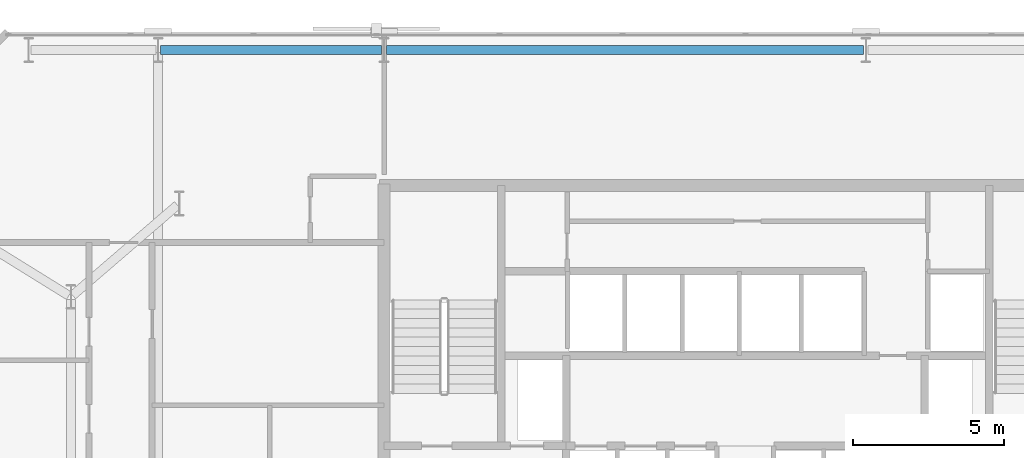
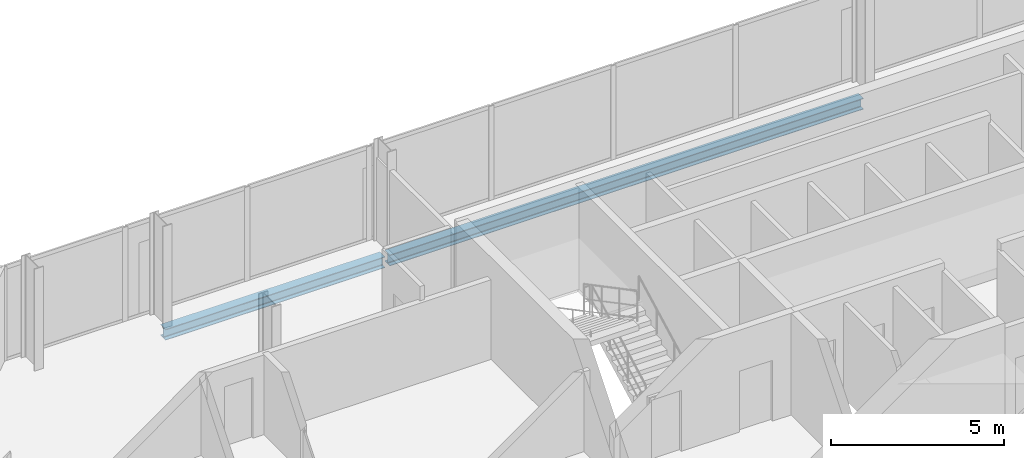
# One storey, part 20 of 32: 2 beams.
"""IFC4 building model written with IfcOpenShell, lengths in metres."""

from ifc_helpers import new_model, si_unit, direction, frame, origin, origin_2d, place, context, subcontext, project, spatial, i_section, extrude, material, material_profile, profile_set, type_object, element, save


model = new_model("IFC4")

# Units and contexts
model_context = context("Model", 3, precision=1e-05, world=origin(), true_north=direction((0.0, 1.0)))
body_context = subcontext(model_context, "Body", "Model", "MODEL_VIEW")
ifc_project = project(units=[si_unit("LENGTHUNIT", "METRE"), si_unit("AREAUNIT", "SQUARE_METRE"), si_unit("VOLUMEUNIT", "CUBIC_METRE"), si_unit("PLANEANGLEUNIT", "RADIAN"), si_unit("MASSUNIT", "GRAM", prefix="KILO")], contexts=[model_context])

# Site, building, storey
site_placement = place(None, origin())
site = spatial("IfcSite", under=ifc_project, at=site_placement, CompositionType="ELEMENT")
building_placement = place(site_placement, origin())
building = spatial("IfcBuilding", under=site, at=building_placement, Name="Catumbela Crestline Tower", CompositionType="ELEMENT")
storey_placement = place(building_placement, frame((0.0, 0.0, 61.8)))
storey = spatial("IfcBuildingStorey", under=building, at=storey_placement, Name="L15", CompositionType="ELEMENT", Elevation=61.8)

# Beams
ifc_material = material(Name="Structural steel S355J2", Category="steel")
ifc_material_profile = material_profile(ifc_material, i_section(OverallWidth=0.3, OverallDepth=0.39, WebThickness=0.011, FlangeThickness=0.019, FilletRadius=0.027, at=origin_2d()), Name="HEA 400")
ifc_profile_set = profile_set([ifc_material_profile], Name="Structural steel S355J2")
beam_type = type_object("IfcBeamType", Name="BS-HEA400", PredefinedType="SPANDREL", material=ifc_profile_set)
beam_1_placement = place(storey_placement, frame((8.58, 47.4, -0.455), z_axis=(1.0, 0.0, 0.0), x_axis=(0.0, 1.0, 0.0)))
element("IfcBeam", 1, at=beam_1_placement, inside=storey, type_object=beam_type, Name="L15 Spandrel SP-L15-NF20", PredefinedType="SPANDREL", context=body_context, shape_type="SweptSolid", body=[
    extrude(i_section(OverallWidth=0.3, OverallDepth=0.39, WebThickness=0.011, FlangeThickness=0.019, FilletRadius=0.027, at=origin_2d()), origin(), (0.0, 0.0, 1.0), 7.34),
])
beam_2_placement = place(storey_placement, frame((16.08, 47.4, -0.455), z_axis=(1.0, 0.0, 0.0), x_axis=(0.0, 1.0, 0.0)))
element("IfcBeam", 2, at=beam_2_placement, inside=storey, type_object=beam_type, Name="L15 Spandrel SP-L15-NF21", PredefinedType="SPANDREL", context=body_context, shape_type="SweptSolid", body=[
    extrude(i_section(OverallWidth=0.3, OverallDepth=0.39, WebThickness=0.011, FlangeThickness=0.019, FilletRadius=0.027, at=origin_2d()), origin(), (0.0, 0.0, 1.0), 15.84),
])

save(model, "model.ifc")
